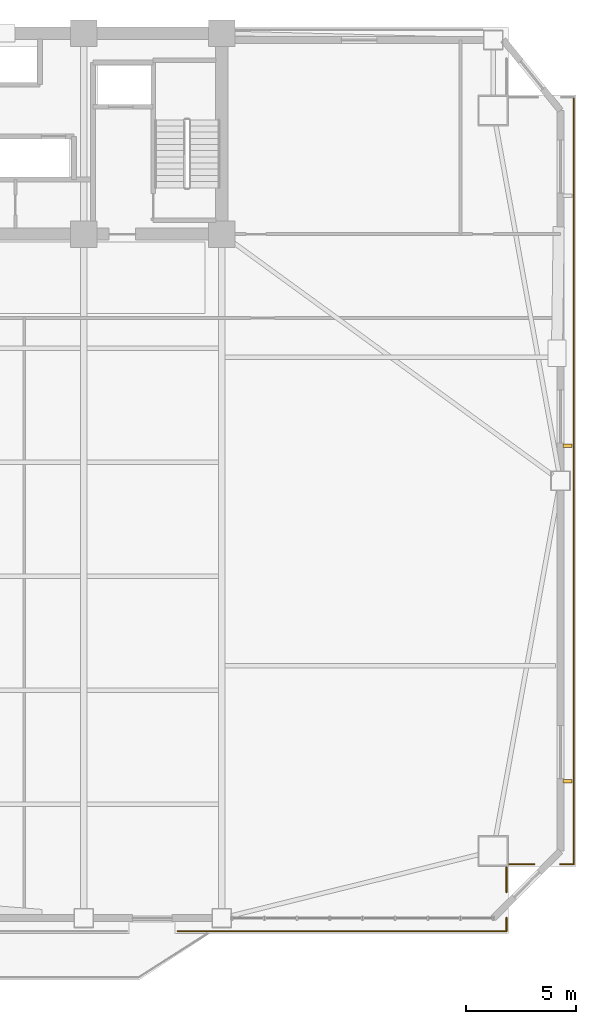
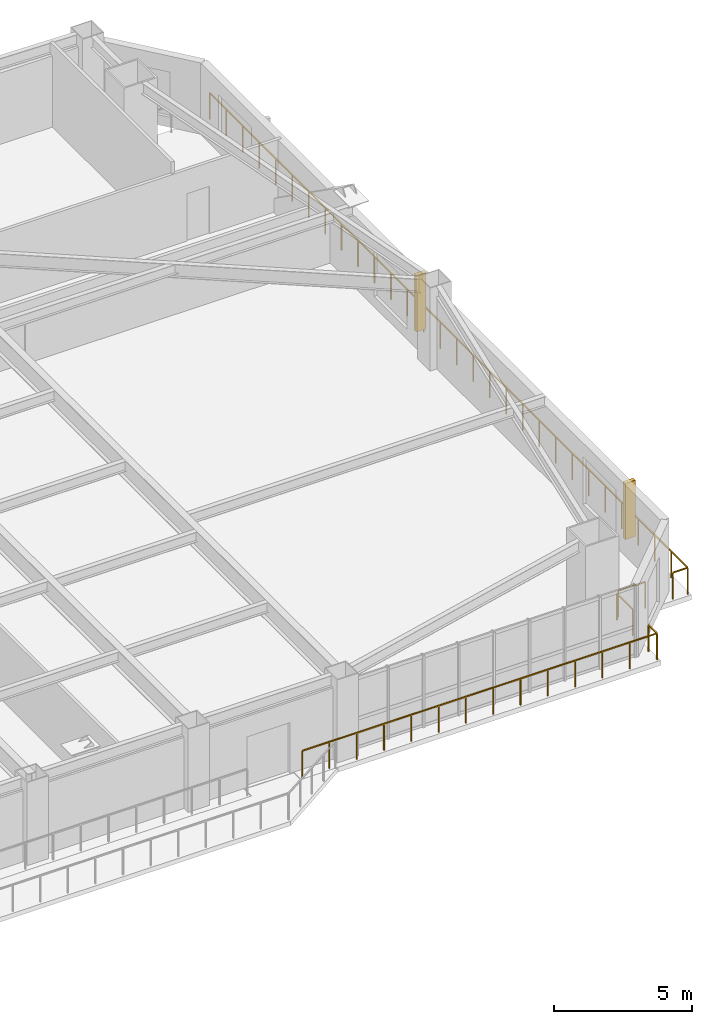
# One storey, part 13 of 15: 6 railings, 2 shading devices.
"""IFC4 building model written with IfcOpenShell, lengths in metres."""

import ifcopenshell
import ifcopenshell.guid

model = None  # the IFC model being written
_history = None  # IfcOwnerHistory: only IFC2X3 demands one
_inside = {}  # id of a spatial element -> (the spatial element, [elements in it])
_under = {}  # id of a project, library or spatial element -> (it, [spatial elements below it])
_declared = {}  # id of a project -> (the project, [libraries it declares])
_typed = {}  # id of a type object -> (the type object, [elements of that type])
_made_of = {}  # id of a material, layer set ... -> (it, [elements and type objects made of it])


def new_model(schema):
    """Start an empty IFC model of exactly this schema.

    Asked for "IFC4X3", IfcOpenShell would pick the latest addendum, in which some entities
    have other attributes; the version numbers below select the first issue.
    IFC2X3 requires an IfcOwnerHistory on every rooted entity: one is made here for all.
    """
    global model, _history
    if schema == "IFC4X3":
        model = ifcopenshell.file(schema_version=(4, 3, 0, 0))
    else:
        model = ifcopenshell.file(schema=schema)
    _inside.clear()
    _under.clear()
    _declared.clear()
    _typed.clear()
    _made_of.clear()
    _history = None
    if model.schema == "IFC2X3":
        org = make("IfcOrganization", Name="unknown")
        user = make(
            "IfcPersonAndOrganization",
            ThePerson=make("IfcPerson", FamilyName="unknown"),
            TheOrganization=org,
        )
        app = make(
            "IfcApplication",
            ApplicationDeveloper=org,
            Version="unknown",
            ApplicationFullName="unknown",
            ApplicationIdentifier="unknown",
        )
        _history = make(
            "IfcOwnerHistory",
            OwningUser=user,
            OwningApplication=app,
            ChangeAction="ADDED",
            CreationDate=0,
        )
    return model


def make(cls, **values):
    """One entity of the class cls with the attributes given. An attribute that is None is left unset."""
    return model.create_entity(
        cls, **{name: value for name, value in values.items() if value is not None}
    )


def rooted(cls, **values):
    """An entity with a GlobalId (a new one), such as an element, a storey or a relation."""
    return make(cls, GlobalId=ifcopenshell.guid.new(), OwnerHistory=_history, **values)


def si_unit(unit_type, name, prefix=None):
    """IfcSIUnit, for example si_unit("LENGTHUNIT", "METRE", prefix="MILLI")."""
    return make("IfcSIUnit", UnitType=unit_type, Prefix=prefix, Name=name)


def assignment(units):
    """IfcUnitAssignment: the units of a project."""
    return None if units is None else make("IfcUnitAssignment", Units=units)


def point(xyz):
    """IfcCartesianPoint."""
    return None if xyz is None else make("IfcCartesianPoint", Coordinates=xyz)


def direction(xyz):
    """IfcDirection."""
    return None if xyz is None else make("IfcDirection", DirectionRatios=xyz)


def frame(location, z_axis=None, x_axis=None):
    """IfcAxis2Placement3D, a coordinate frame: its origin and axes. An axis left out is left unset."""
    return make(
        "IfcAxis2Placement3D",
        Location=point(location),
        Axis=direction(z_axis),
        RefDirection=direction(x_axis),
    )


def frame_2d(location, x_axis=None):
    """IfcAxis2Placement2D, a coordinate frame in the plane: its origin and x axis."""
    return make(
        "IfcAxis2Placement2D", Location=point(location), RefDirection=direction(x_axis)
    )


def origin():
    """The frame at (0, 0, 0) with its axes left unset."""
    return frame((0.0, 0.0, 0.0))


def origin_2d():
    """The frame at (0, 0) in the plane with its x axis left unset."""
    return frame_2d((0.0, 0.0))


def place(relative_to, where):
    """IfcLocalPlacement: puts the frame where relative to a parent placement (None: the world)."""
    return make(
        "IfcLocalPlacement", PlacementRelTo=relative_to, RelativePlacement=where
    )


def context(
    kind, dimensions, precision=None, world=None, true_north=None, identifier=None
):
    """IfcGeometricRepresentationContext, for example the 3D "Model" context."""
    return make(
        "IfcGeometricRepresentationContext",
        ContextIdentifier=identifier,
        ContextType=kind,
        CoordinateSpaceDimension=dimensions,
        Precision=precision,
        WorldCoordinateSystem=world,
        TrueNorth=true_north,
    )


def subcontext(parent, identifier, kind, view, scale=None):
    """IfcGeometricRepresentationSubContext, for example "Body" below "Model"."""
    return make(
        "IfcGeometricRepresentationSubContext",
        ContextIdentifier=identifier,
        ContextType=kind,
        ParentContext=parent,
        TargetScale=scale,
        TargetView=view,
    )


def project(units=None, contexts=None):
    """IfcProject with its units and contexts."""
    return rooted(
        "IfcProject",
        Name="project",
        RepresentationContexts=contexts,
        UnitsInContext=assignment(units),
    )


def spatial(cls, under=None, at=None, **own):
    """A site, building, storey or space (cls), placed at a placement, below another one or the project."""
    s = rooted(cls, ObjectPlacement=at, **own)
    if under is not None:
        _under.setdefault(under.id(), (under, []))[1].append(s)
    return s


def profile(cls, at=None, kind="AREA", **sizes):
    """A parametric profile (cls). Its sizes go by their IFC names, for example OverallWidth=200.0."""
    return make(cls, ProfileType=kind, Position=at, **sizes)


def rectangle(**sizes):
    """IfcRectangleProfileDef."""
    return profile("IfcRectangleProfileDef", **sizes)


def extrude(swept, where, along, depth):
    """IfcExtrudedAreaSolid: the profile swept, set in the frame where, extruded along a direction by depth."""
    return make(
        "IfcExtrudedAreaSolid",
        SweptArea=swept,
        Position=where,
        ExtrudedDirection=direction(along),
        Depth=depth,
    )


def shape(context_of_items, identifier, shape_type, items):
    """IfcShapeRepresentation: the items that make up one representation, for example the "Body"."""
    return make(
        "IfcShapeRepresentation",
        ContextOfItems=context_of_items,
        RepresentationIdentifier=identifier,
        RepresentationType=shape_type,
        Items=items,
    )


def source(mapping_origin, context_of_items, identifier, shape_type, items):
    """IfcRepresentationMap: a shape defined once, which mapped items show again and again."""
    return make(
        "IfcRepresentationMap",
        MappingOrigin=mapping_origin,
        MappedRepresentation=shape(context_of_items, identifier, shape_type, items),
    )


def transform(
    local_origin,
    x_axis=None,
    y_axis=None,
    z_axis=None,
    scale=None,
    scale2=None,
    scale3=None,
    uniform=True,
):
    """IfcCartesianTransformationOperator3D, or its non-uniform kind. x_axis, y_axis, z_axis: its Axis1, 2, 3."""
    if uniform:
        return make(
            "IfcCartesianTransformationOperator3D",
            Axis1=direction(x_axis),
            Axis2=direction(y_axis),
            LocalOrigin=point(local_origin),
            Scale=scale,
            Axis3=direction(z_axis),
        )
    return make(
        "IfcCartesianTransformationOperator3DnonUniform",
        Axis1=direction(x_axis),
        Axis2=direction(y_axis),
        LocalOrigin=point(local_origin),
        Scale=scale,
        Axis3=direction(z_axis),
        Scale2=scale2,
        Scale3=scale3,
    )


def mapped(mapping_source, mapping_target):
    """IfcMappedItem: shows the shape of a source again, moved by a transform."""
    return make(
        "IfcMappedItem", MappingSource=mapping_source, MappingTarget=mapping_target
    )


def material(Name=None, Category=None):
    """IfcMaterial."""
    return make("IfcMaterial", Name=Name, Category=Category)


def made_of(thing, what):
    """Note that an element or type object is made of a material, layer set ...; save() writes the relation."""
    if what is not None:
        _made_of.setdefault(what.id(), (what, []))[1].append(thing)
    return thing


def type_object(cls, material=None, **own):
    """A type object (cls), such as IfcWallType, which elements share."""
    return made_of(rooted(cls, **own), material)


def element(
    cls,
    number,
    at=None,
    inside=None,
    cuts=None,
    type_object=None,
    material=None,
    context=None,
    identifier="Body",
    shape_type=None,
    held_by="IfcProductDefinitionShape",
    body=None,
    shapes=None,
    **own,
):
    """One element of the class cls, such as IfcWall. Its Tag is "e" and its number.

    at: its placement. inside: the storey or other place that contains it. cuts: it is an
    opening in that element (IfcRelVoidsElement). A single representation is given by context,
    identifier, shape_type and body (its items); several are given by shapes. held_by: the class
    of the entity that holds the representations. save() writes the other relations.
    """
    e = rooted(cls, Tag="e%d" % number, ObjectPlacement=at, **own)
    if body is not None:
        shapes = [shape(context, identifier, shape_type, body)]
    if shapes is not None:
        e.Representation = make(held_by, Representations=shapes)
    if inside is not None:
        _inside.setdefault(inside.id(), (inside, []))[1].append(e)
    if cuts is not None:
        rooted(
            "IfcRelVoidsElement", RelatingBuildingElement=cuts, RelatedOpeningElement=e
        )
    if type_object is not None:
        _typed.setdefault(type_object.id(), (type_object, []))[1].append(e)
    return made_of(e, material)


def aggregate(whole, parts):
    """IfcRelAggregates: a whole, such as a stair, and the parts it consists of."""
    return rooted("IfcRelAggregates", RelatingObject=whole, RelatedObjects=parts)


def save(model, path):
    """Write the relations noted so far, then the file.

    IfcRelAggregates (storeys below a building ...), IfcRelContainedInSpatialStructure (elements
    in a storey), IfcRelDefinesByType, IfcRelAssociatesMaterial and IfcRelDeclares: one each for
    every whole, place, type object, material and project.
    """
    for whole, parts in _under.values():
        aggregate(whole, parts)
    for where, things in _inside.values():
        rooted(
            "IfcRelContainedInSpatialStructure",
            RelatedElements=things,
            RelatingStructure=where,
        )
    for kind, things in _typed.values():
        rooted("IfcRelDefinesByType", RelatedObjects=things, RelatingType=kind)
    for what, things in _made_of.values():
        rooted("IfcRelAssociatesMaterial", RelatedObjects=things, RelatingMaterial=what)
    for by, libraries in _declared.values():
        rooted("IfcRelDeclares", RelatingContext=by, RelatedDefinitions=libraries)
    model.write(path)


model = new_model("IFC4")

# Units and contexts
model_context = context("Model", 3, precision=1e-05, world=origin(), true_north=direction((0.0, 1.0)))
body_context = subcontext(model_context, "Body", "Model", "MODEL_VIEW")
ifc_project = project(units=[si_unit("LENGTHUNIT", "METRE"), si_unit("AREAUNIT", "SQUARE_METRE"), si_unit("VOLUMEUNIT", "CUBIC_METRE"), si_unit("PLANEANGLEUNIT", "RADIAN"), si_unit("MASSUNIT", "GRAM", prefix="KILO")], contexts=[model_context])

# Site, building, storey
site_placement = place(None, origin())
site = spatial("IfcSite", under=ifc_project, at=site_placement, CompositionType="ELEMENT")
building_placement = place(site_placement, origin())
building = spatial("IfcBuilding", under=site, at=building_placement, Name="Giltprow Tower", CompositionType="ELEMENT")
storey_placement = place(building_placement, frame((0.0, 0.0, 103.60009765625)))
storey = spatial("IfcBuildingStorey", under=building, at=storey_placement, Name="L25", CompositionType="ELEMENT", Elevation=103.60009765625)

# Railings
ifc_material = material(Name="Anodized bronze", Category="metal")
railing_type = type_object("IfcRailingType", Name="RAIL-BALC-GUARD-1200", PredefinedType="BALUSTRADE", material=ifc_material)
railing_1_placement = place(storey_placement, frame((66.490966796875, 43.656005859375, 0.0)))
element("IfcRailing", 1, at=railing_1_placement, inside=storey, type_object=railing_type, Name="L25 Corner Apron Edge Balustrade 14", PredefinedType="BALUSTRADE", context=body_context, shape_type="SweptSolid", body=[
    extrude(rectangle(XDim=0.048095703125, YDim=0.048095703125, at=origin_2d()), frame((0.0, 0.0, 1.17578125), z_axis=(0.0, -1.0, 0.0), x_axis=(1.0, 0.0, 0.0)), (0.0, 0.0, 1.0), 34.7509765625),
    extrude(rectangle(XDim=0.0419921875, YDim=0.0419921875, at=origin_2d()), origin(), (0.0, 0.0, 1.0), 1.15185546875),
    extrude(rectangle(XDim=0.0419921875, YDim=0.0419921875, at=origin_2d()), frame((0.0, -1.1982421875, 0.0)), (0.0, 0.0, 1.0), 1.15185546875),
    extrude(rectangle(XDim=0.0419921875, YDim=0.0419921875, at=origin_2d()), frame((0.0, -2.396728515625, 0.0)), (0.0, 0.0, 1.0), 1.15185546875),
    extrude(rectangle(XDim=0.0419921875, YDim=0.0419921875, at=origin_2d()), frame((0.0, -3.594970703125, 0.0)), (0.0, 0.0, 1.0), 1.15185546875),
    extrude(rectangle(XDim=0.0419921875, YDim=0.0419921875, at=origin_2d()), frame((0.0, -4.793212890625, 0.0)), (0.0, 0.0, 1.0), 1.15185546875),
    extrude(rectangle(XDim=0.0419921875, YDim=0.0419921875, at=origin_2d()), frame((0.0, -5.991455078125, 0.0)), (0.0, 0.0, 1.0), 1.15185546875),
    extrude(rectangle(XDim=0.0419921875, YDim=0.0419921875, at=origin_2d()), frame((0.0, -7.18994140625, 0.0)), (0.0, 0.0, 1.0), 1.15185546875),
    extrude(rectangle(XDim=0.0419921875, YDim=0.0419921875, at=origin_2d()), frame((0.0, -8.38818359375, 0.0)), (0.0, 0.0, 1.0), 1.15185546875),
    extrude(rectangle(XDim=0.0419921875, YDim=0.0419921875, at=origin_2d()), frame((0.0, -9.58642578125, 0.0)), (0.0, 0.0, 1.0), 1.15185546875),
    extrude(rectangle(XDim=0.0419921875, YDim=0.0419921875, at=origin_2d()), frame((0.0, -10.78466796875, 0.0)), (0.0, 0.0, 1.0), 1.15185546875),
    extrude(rectangle(XDim=0.0419921875, YDim=0.0419921875, at=origin_2d()), frame((0.0, -11.983154296875, 0.0)), (0.0, 0.0, 1.0), 1.15185546875),
    extrude(rectangle(XDim=0.0419921875, YDim=0.0419921875, at=origin_2d()), frame((0.0, -13.181396484375, 0.0)), (0.0, 0.0, 1.0), 1.15185546875),
    extrude(rectangle(XDim=0.0419921875, YDim=0.0419921875, at=origin_2d()), frame((0.0, -14.379638671875, 0.0)), (0.0, 0.0, 1.0), 1.15185546875),
    extrude(rectangle(XDim=0.0419921875, YDim=0.0419921875, at=origin_2d()), frame((0.0, -15.578125, 0.0)), (0.0, 0.0, 1.0), 1.15185546875),
    extrude(rectangle(XDim=0.0419921875, YDim=0.0419921875, at=origin_2d()), frame((0.0, -16.7763671875, 0.0)), (0.0, 0.0, 1.0), 1.15185546875),
    extrude(rectangle(XDim=0.0419921875, YDim=0.0419921875, at=origin_2d()), frame((0.0, -17.974609375, 0.0)), (0.0, 0.0, 1.0), 1.15185546875),
    extrude(rectangle(XDim=0.0419921875, YDim=0.0419921875, at=origin_2d()), frame((0.0, -19.1728515625, 0.0)), (0.0, 0.0, 1.0), 1.15185546875),
    extrude(rectangle(XDim=0.0419921875, YDim=0.0419921875, at=origin_2d()), frame((0.0, -20.371337890625, 0.0)), (0.0, 0.0, 1.0), 1.15185546875),
    extrude(rectangle(XDim=0.0419921875, YDim=0.0419921875, at=origin_2d()), frame((0.0, -21.569580078125, 0.0)), (0.0, 0.0, 1.0), 1.15185546875),
    extrude(rectangle(XDim=0.0419921875, YDim=0.0419921875, at=origin_2d()), frame((0.0, -22.767822265625, 0.0)), (0.0, 0.0, 1.0), 1.15185546875),
    extrude(rectangle(XDim=0.0419921875, YDim=0.0419921875, at=origin_2d()), frame((0.0, -23.96630859375, 0.0)), (0.0, 0.0, 1.0), 1.15185546875),
    extrude(rectangle(XDim=0.0419921875, YDim=0.0419921875, at=origin_2d()), frame((0.0, -25.16455078125, 0.0)), (0.0, 0.0, 1.0), 1.15185546875),
    extrude(rectangle(XDim=0.0419921875, YDim=0.0419921875, at=origin_2d()), frame((0.0, -26.36279296875, 0.0)), (0.0, 0.0, 1.0), 1.15185546875),
    extrude(rectangle(XDim=0.0419921875, YDim=0.0419921875, at=origin_2d()), frame((0.0, -27.56103515625, 0.0)), (0.0, 0.0, 1.0), 1.15185546875),
    extrude(rectangle(XDim=0.0419921875, YDim=0.0419921875, at=origin_2d()), frame((0.0, -28.759521484375, 0.0)), (0.0, 0.0, 1.0), 1.15185546875),
    extrude(rectangle(XDim=0.0419921875, YDim=0.0419921875, at=origin_2d()), frame((0.0, -29.957763671875, 0.0)), (0.0, 0.0, 1.0), 1.15185546875),
    extrude(rectangle(XDim=0.0419921875, YDim=0.0419921875, at=origin_2d()), frame((0.0, -31.156005859375, 0.0)), (0.0, 0.0, 1.0), 1.15185546875),
    extrude(rectangle(XDim=0.0419921875, YDim=0.0419921875, at=origin_2d()), frame((0.0, -32.354248046875, 0.0)), (0.0, 0.0, 1.0), 1.15185546875),
    extrude(rectangle(XDim=0.0419921875, YDim=0.0419921875, at=origin_2d()), frame((0.0, -33.552734375, 0.0)), (0.0, 0.0, 1.0), 1.15185546875),
    extrude(rectangle(XDim=0.0419921875, YDim=0.0419921875, at=origin_2d()), frame((0.0, -34.7509765625, 0.0)), (0.0, 0.0, 1.0), 1.15185546875),
])
railing_2_placement = place(storey_placement, frame((66.490966796875, 8.905029296875, 0.0)))
element("IfcRailing", 2, at=railing_2_placement, inside=storey, type_object=railing_type, Name="L25 Corner Apron Edge Balustrade 15", PredefinedType="BALUSTRADE", context=body_context, shape_type="SweptSolid", body=[
    extrude(rectangle(XDim=0.048095703125, YDim=0.048095703125, at=origin_2d()), frame((0.0, 0.0, 1.17578125), z_axis=(-1.0, 0.0, 0.0), x_axis=(0.0, -1.0, 0.0)), (0.0, 0.0, 1.0), 0.619873046875),
    extrude(rectangle(XDim=0.0419921875, YDim=0.0419921875, at=origin_2d()), origin(), (0.0, 0.0, 1.0), 1.15185546875),
    extrude(rectangle(XDim=0.0419921875, YDim=0.0419921875, at=origin_2d()), frame((-0.619873046875, 0.0, 0.0)), (0.0, 0.0, 1.0), 1.15185546875),
])
railing_3_placement = place(storey_placement, frame((64.7109375, 8.905029296875, 0.0)))
element("IfcRailing", 3, at=railing_3_placement, inside=storey, type_object=railing_type, Name="L25 Corner Apron Edge Balustrade 16", PredefinedType="BALUSTRADE", context=body_context, shape_type="SweptSolid", body=[
    extrude(rectangle(XDim=0.048095703125, YDim=0.048095703125, at=origin_2d()), frame((0.0, 0.0, 1.17578125), z_axis=(-1.0, 0.0, 0.0), x_axis=(0.0, -1.0, 0.0)), (0.0, 0.0, 1.0), 1.1279296875),
    extrude(rectangle(XDim=0.0419921875, YDim=0.0419921875, at=origin_2d()), origin(), (0.0, 0.0, 1.0), 1.15185546875),
    extrude(rectangle(XDim=0.0419921875, YDim=0.0419921875, at=origin_2d()), frame((-1.1279296875, 0.0, 0.0)), (0.0, 0.0, 1.0), 1.15185546875),
])
railing_4_placement = place(storey_placement, frame((63.447998046875, 8.77001953125, 0.0)))
element("IfcRailing", 4, at=railing_4_placement, inside=storey, type_object=railing_type, Name="L25 Corner Apron Edge Balustrade 17", PredefinedType="BALUSTRADE", context=body_context, shape_type="SweptSolid", body=[
    extrude(rectangle(XDim=0.048095703125, YDim=0.048095703125, at=origin_2d()), frame((0.0, 0.0, 1.17578125), z_axis=(0.0, -1.0, 0.0), x_axis=(1.0, 0.0, 0.0)), (0.0, 0.0, 1.0), 1.1279296875),
    extrude(rectangle(XDim=0.0419921875, YDim=0.0419921875, at=origin_2d()), origin(), (0.0, 0.0, 1.0), 1.15185546875),
    extrude(rectangle(XDim=0.0419921875, YDim=0.0419921875, at=origin_2d()), frame((0.0, -1.1279296875, 0.0)), (0.0, 0.0, 1.0), 1.15185546875),
])
railing_5_placement = place(storey_placement, frame((63.447998046875, 6.48193359375, 0.0)))
element("IfcRailing", 5, at=railing_5_placement, inside=storey, type_object=railing_type, Name="L25 Corner Apron Edge Balustrade 18", PredefinedType="BALUSTRADE", context=body_context, shape_type="SweptSolid", body=[
    extrude(rectangle(XDim=0.048095703125, YDim=0.048095703125, at=origin_2d()), frame((0.0, 0.0, 1.17578125), z_axis=(0.0, -1.0, 0.0), x_axis=(1.0, 0.0, 0.0)), (0.0, 0.0, 1.0), 0.619873046875),
    extrude(rectangle(XDim=0.0419921875, YDim=0.0419921875, at=origin_2d()), origin(), (0.0, 0.0, 1.0), 1.15185546875),
    extrude(rectangle(XDim=0.0419921875, YDim=0.0419921875, at=origin_2d()), frame((0.0, -0.619873046875, 0.0)), (0.0, 0.0, 1.0), 1.15185546875),
])
railing_6_placement = place(storey_placement, frame((63.447998046875, 5.862060546875, 0.0)))
element("IfcRailing", 6, at=railing_6_placement, inside=storey, type_object=railing_type, Name="L25 Corner Apron Edge Balustrade 19", PredefinedType="BALUSTRADE", context=body_context, shape_type="SweptSolid", body=[
    extrude(rectangle(XDim=0.048095703125, YDim=0.048095703125, at=origin_2d()), frame((0.0, 0.0, 1.17578125), z_axis=(-1.0, 0.0, 0.0), x_axis=(0.0, -1.0, 0.0)), (0.0, 0.0, 1.0), 14.89794921875),
    extrude(rectangle(XDim=0.0419921875, YDim=0.0419921875, at=origin_2d()), origin(), (0.0, 0.0, 1.0), 1.15185546875),
    extrude(rectangle(XDim=0.0419921875, YDim=0.0419921875, at=origin_2d()), frame((-1.14599609375, 0.0, 0.0)), (0.0, 0.0, 1.0), 1.15185546875),
    extrude(rectangle(XDim=0.0419921875, YDim=0.0419921875, at=origin_2d()), frame((-2.2919921875, 0.0, 0.0)), (0.0, 0.0, 1.0), 1.15185546875),
    extrude(rectangle(XDim=0.0419921875, YDim=0.0419921875, at=origin_2d()), frame((-3.43798828125, 0.0, 0.0)), (0.0, 0.0, 1.0), 1.15185546875),
    extrude(rectangle(XDim=0.0419921875, YDim=0.0419921875, at=origin_2d()), frame((-4.583984375, 0.0, 0.0)), (0.0, 0.0, 1.0), 1.15185546875),
    extrude(rectangle(XDim=0.0419921875, YDim=0.0419921875, at=origin_2d()), frame((-5.72998046875, 0.0, 0.0)), (0.0, 0.0, 1.0), 1.15185546875),
    extrude(rectangle(XDim=0.0419921875, YDim=0.0419921875, at=origin_2d()), frame((-6.8759765625, 0.0, 0.0)), (0.0, 0.0, 1.0), 1.15185546875),
    extrude(rectangle(XDim=0.0419921875, YDim=0.0419921875, at=origin_2d()), frame((-8.02197265625, 0.0, 0.0)), (0.0, 0.0, 1.0), 1.15185546875),
    extrude(rectangle(XDim=0.0419921875, YDim=0.0419921875, at=origin_2d()), frame((-9.16796875, 0.0, 0.0)), (0.0, 0.0, 1.0), 1.15185546875),
    extrude(rectangle(XDim=0.0419921875, YDim=0.0419921875, at=origin_2d()), frame((-10.31396484375, 0.0, 0.0)), (0.0, 0.0, 1.0), 1.15185546875),
    extrude(rectangle(XDim=0.0419921875, YDim=0.0419921875, at=origin_2d()), frame((-11.4599609375, 0.0, 0.0)), (0.0, 0.0, 1.0), 1.15185546875),
    extrude(rectangle(XDim=0.0419921875, YDim=0.0419921875, at=origin_2d()), frame((-12.60595703125, 0.0, 0.0)), (0.0, 0.0, 1.0), 1.15185546875),
    extrude(rectangle(XDim=0.0419921875, YDim=0.0419921875, at=origin_2d()), frame((-13.751953125, 0.0, 0.0)), (0.0, 0.0, 1.0), 1.15185546875),
    extrude(rectangle(XDim=0.0419921875, YDim=0.0419921875, at=origin_2d()), frame((-14.89794921875, 0.0, 0.0)), (0.0, 0.0, 1.0), 1.15185546875),
])

# Shading devices
shading_device_type = type_object("IfcShadingDeviceType", Name="SHD-FIN-420", PredefinedType="USERDEFINED", material=ifc_material)
shared_shape = source(origin(), body_context, "Body", "SweptSolid", [
    extrude(rectangle(XDim=0.419921875, YDim=0.159912109375, at=origin_2d()), origin(), (0.0, 0.0, 1.0), 2.5),
])
for number, where, z_axis, x_axis, name in (
    (7, (66.2109375, 12.669921875, 0.349853515625), (0.0, 0.0, 1.0), (1.0, 0.0, 0.0), "L25 E Bronze Vertical Fin 1-1"),
    (8, (66.2109375, 27.8701171875, 0.349853515625), (0.0, 0.0, 1.0), (1.0, 0.0, 0.0), "L25 E Bronze Vertical Fin 2-1"),
):
    element("IfcShadingDevice", number, at=place(storey_placement, frame(where, z_axis=z_axis, x_axis=x_axis)), inside=storey, type_object=shading_device_type, Name=name, ObjectType="FIN", PredefinedType="USERDEFINED", context=body_context, shape_type="MappedRepresentation", body=[
        mapped(shared_shape, transform((0.0, 0.0, 0.0), x_axis=(1.0, 0.0, 0.0), y_axis=(0.0, 1.0, 0.0), z_axis=(0.0, 0.0, 1.0), scale=1.0)),
    ])

save(model, "model.ifc")
